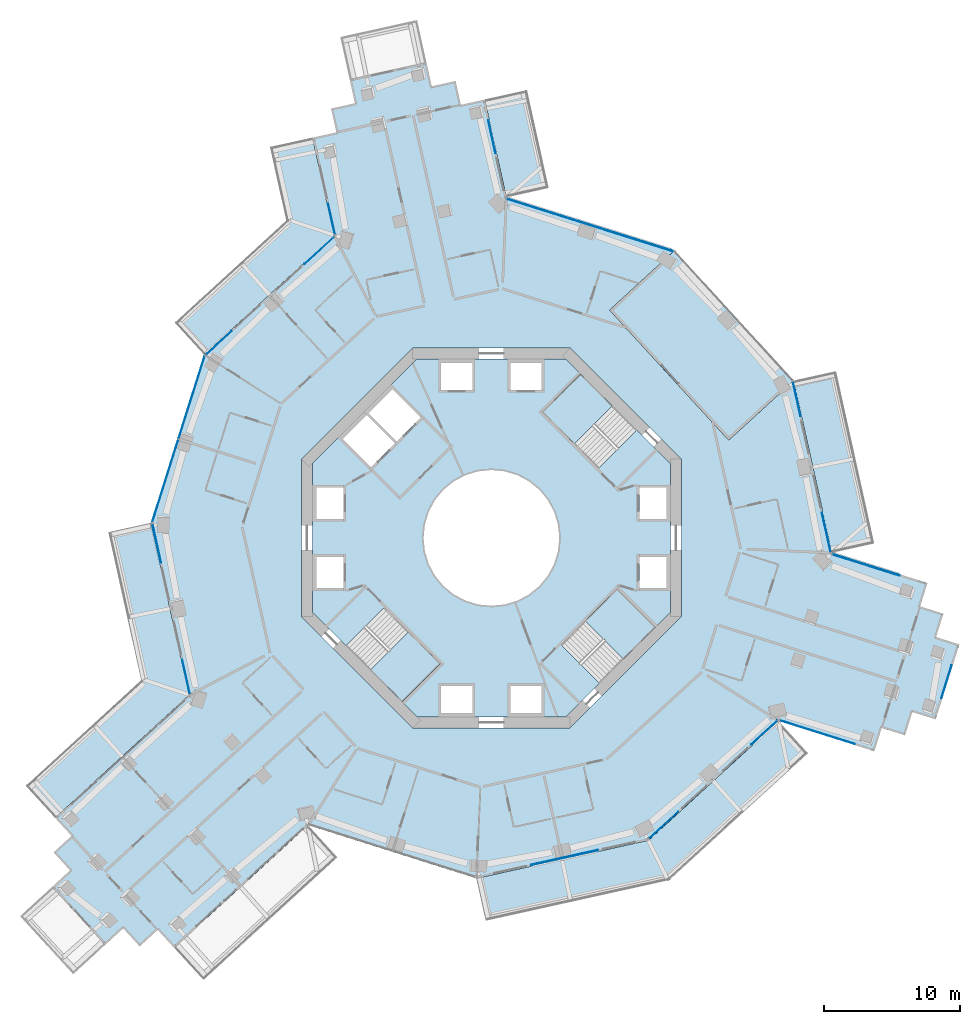
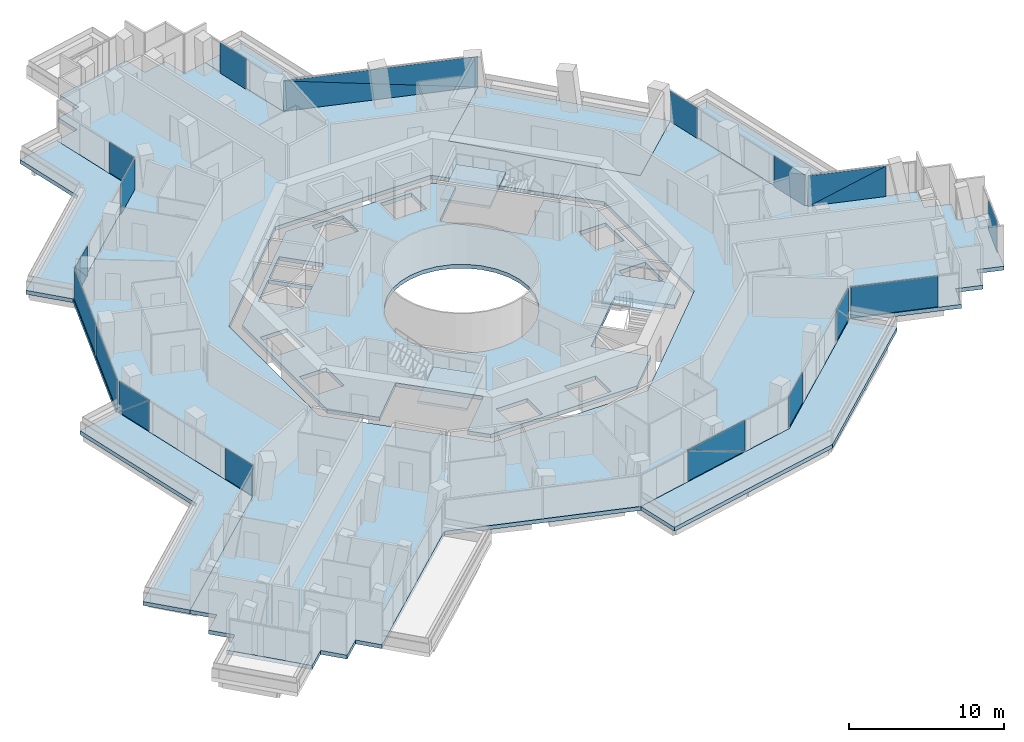
# One storey, part 13 of 24: 23 plates, 11 slabs, 15 elements without a shape of their own.
"""IFC4 building model written with IfcOpenShell, lengths in metres."""

import ifcopenshell
import ifcopenshell.guid

model = None  # the IFC model being written
_history = None  # IfcOwnerHistory: only IFC2X3 demands one
_inside = {}  # id of a spatial element -> (the spatial element, [elements in it])
_under = {}  # id of a project, library or spatial element -> (it, [spatial elements below it])
_declared = {}  # id of a project -> (the project, [libraries it declares])
_typed = {}  # id of a type object -> (the type object, [elements of that type])
_made_of = {}  # id of a material, layer set ... -> (it, [elements and type objects made of it])


def new_model(schema):
    """Start an empty IFC model of exactly this schema.

    Asked for "IFC4X3", IfcOpenShell would pick the latest addendum, in which some entities
    have other attributes; the version numbers below select the first issue.
    IFC2X3 requires an IfcOwnerHistory on every rooted entity: one is made here for all.
    """
    global model, _history
    if schema == "IFC4X3":
        model = ifcopenshell.file(schema_version=(4, 3, 0, 0))
    else:
        model = ifcopenshell.file(schema=schema)
    _inside.clear()
    _under.clear()
    _declared.clear()
    _typed.clear()
    _made_of.clear()
    _history = None
    if model.schema == "IFC2X3":
        org = make("IfcOrganization", Name="unknown")
        user = make(
            "IfcPersonAndOrganization",
            ThePerson=make("IfcPerson", FamilyName="unknown"),
            TheOrganization=org,
        )
        app = make(
            "IfcApplication",
            ApplicationDeveloper=org,
            Version="unknown",
            ApplicationFullName="unknown",
            ApplicationIdentifier="unknown",
        )
        _history = make(
            "IfcOwnerHistory",
            OwningUser=user,
            OwningApplication=app,
            ChangeAction="ADDED",
            CreationDate=0,
        )
    return model


def make(cls, **values):
    """One entity of the class cls with the attributes given. An attribute that is None is left unset."""
    return model.create_entity(
        cls, **{name: value for name, value in values.items() if value is not None}
    )


def rooted(cls, **values):
    """An entity with a GlobalId (a new one), such as an element, a storey or a relation."""
    return make(cls, GlobalId=ifcopenshell.guid.new(), OwnerHistory=_history, **values)


def si_unit(unit_type, name, prefix=None):
    """IfcSIUnit, for example si_unit("LENGTHUNIT", "METRE", prefix="MILLI")."""
    return make("IfcSIUnit", UnitType=unit_type, Prefix=prefix, Name=name)


def assignment(units):
    """IfcUnitAssignment: the units of a project."""
    return None if units is None else make("IfcUnitAssignment", Units=units)


def point(xyz):
    """IfcCartesianPoint."""
    return None if xyz is None else make("IfcCartesianPoint", Coordinates=xyz)


def direction(xyz):
    """IfcDirection."""
    return None if xyz is None else make("IfcDirection", DirectionRatios=xyz)


def frame(location, z_axis=None, x_axis=None):
    """IfcAxis2Placement3D, a coordinate frame: its origin and axes. An axis left out is left unset."""
    return make(
        "IfcAxis2Placement3D",
        Location=point(location),
        Axis=direction(z_axis),
        RefDirection=direction(x_axis),
    )


def frame_2d(location, x_axis=None):
    """IfcAxis2Placement2D, a coordinate frame in the plane: its origin and x axis."""
    return make(
        "IfcAxis2Placement2D", Location=point(location), RefDirection=direction(x_axis)
    )


def origin():
    """The frame at (0, 0, 0) with its axes left unset."""
    return frame((0.0, 0.0, 0.0))


def origin_2d():
    """The frame at (0, 0) in the plane with its x axis left unset."""
    return frame_2d((0.0, 0.0))


def place(relative_to, where):
    """IfcLocalPlacement: puts the frame where relative to a parent placement (None: the world)."""
    return make(
        "IfcLocalPlacement", PlacementRelTo=relative_to, RelativePlacement=where
    )


def context(
    kind, dimensions, precision=None, world=None, true_north=None, identifier=None
):
    """IfcGeometricRepresentationContext, for example the 3D "Model" context."""
    return make(
        "IfcGeometricRepresentationContext",
        ContextIdentifier=identifier,
        ContextType=kind,
        CoordinateSpaceDimension=dimensions,
        Precision=precision,
        WorldCoordinateSystem=world,
        TrueNorth=true_north,
    )


def subcontext(parent, identifier, kind, view, scale=None):
    """IfcGeometricRepresentationSubContext, for example "Body" below "Model"."""
    return make(
        "IfcGeometricRepresentationSubContext",
        ContextIdentifier=identifier,
        ContextType=kind,
        ParentContext=parent,
        TargetScale=scale,
        TargetView=view,
    )


def project(units=None, contexts=None):
    """IfcProject with its units and contexts."""
    return rooted(
        "IfcProject",
        Name="project",
        RepresentationContexts=contexts,
        UnitsInContext=assignment(units),
    )


def spatial(cls, under=None, at=None, **own):
    """A site, building, storey or space (cls), placed at a placement, below another one or the project."""
    s = rooted(cls, ObjectPlacement=at, **own)
    if under is not None:
        _under.setdefault(under.id(), (under, []))[1].append(s)
    return s


def polyline(points):
    """IfcPolyline through the points."""
    return make("IfcPolyline", Points=[point(p) for p in points])


def profile(cls, at=None, kind="AREA", **sizes):
    """A parametric profile (cls). Its sizes go by their IFC names, for example OverallWidth=200.0."""
    return make(cls, ProfileType=kind, Position=at, **sizes)


def rectangle(**sizes):
    """IfcRectangleProfileDef."""
    return profile("IfcRectangleProfileDef", **sizes)


def outline(outer, holes=None, kind="AREA"):
    """IfcArbitraryClosedProfileDef: a profile drawn as a closed curve; with holes, ...WithVoids."""
    if holes is None:
        return make("IfcArbitraryClosedProfileDef", ProfileType=kind, OuterCurve=outer)
    return make(
        "IfcArbitraryProfileDefWithVoids",
        ProfileType=kind,
        OuterCurve=outer,
        InnerCurves=holes,
    )


def extrude(swept, where, along, depth):
    """IfcExtrudedAreaSolid: the profile swept, set in the frame where, extruded along a direction by depth."""
    return make(
        "IfcExtrudedAreaSolid",
        SweptArea=swept,
        Position=where,
        ExtrudedDirection=direction(along),
        Depth=depth,
    )


def shape(context_of_items, identifier, shape_type, items):
    """IfcShapeRepresentation: the items that make up one representation, for example the "Body"."""
    return make(
        "IfcShapeRepresentation",
        ContextOfItems=context_of_items,
        RepresentationIdentifier=identifier,
        RepresentationType=shape_type,
        Items=items,
    )


def material(Name=None, Category=None):
    """IfcMaterial."""
    return make("IfcMaterial", Name=Name, Category=Category)


def layer(
    of_material, thickness, ventilated=None, Name=None, Category=None, Priority=None
):
    """IfcMaterialLayer: one layer of a wall or slab, of a material (None: an air gap)."""
    return make(
        "IfcMaterialLayer",
        Material=of_material,
        LayerThickness=thickness,
        IsVentilated=ventilated,
        Name=Name,
        Category=Category,
        Priority=Priority,
    )


def layer_set(layers, Name=None):
    """IfcMaterialLayerSet."""
    return make("IfcMaterialLayerSet", MaterialLayers=layers, LayerSetName=Name)


def made_of(thing, what):
    """Note that an element or type object is made of a material, layer set ...; save() writes the relation."""
    if what is not None:
        _made_of.setdefault(what.id(), (what, []))[1].append(thing)
    return thing


def type_object(cls, material=None, **own):
    """A type object (cls), such as IfcWallType, which elements share."""
    return made_of(rooted(cls, **own), material)


def element(
    cls,
    number,
    at=None,
    inside=None,
    cuts=None,
    type_object=None,
    material=None,
    context=None,
    identifier="Body",
    shape_type=None,
    held_by="IfcProductDefinitionShape",
    body=None,
    shapes=None,
    **own,
):
    """One element of the class cls, such as IfcWall. Its Tag is "e" and its number.

    at: its placement. inside: the storey or other place that contains it. cuts: it is an
    opening in that element (IfcRelVoidsElement). A single representation is given by context,
    identifier, shape_type and body (its items); several are given by shapes. held_by: the class
    of the entity that holds the representations. save() writes the other relations.
    """
    e = rooted(cls, Tag="e%d" % number, ObjectPlacement=at, **own)
    if body is not None:
        shapes = [shape(context, identifier, shape_type, body)]
    if shapes is not None:
        e.Representation = make(held_by, Representations=shapes)
    if inside is not None:
        _inside.setdefault(inside.id(), (inside, []))[1].append(e)
    if cuts is not None:
        rooted(
            "IfcRelVoidsElement", RelatingBuildingElement=cuts, RelatedOpeningElement=e
        )
    if type_object is not None:
        _typed.setdefault(type_object.id(), (type_object, []))[1].append(e)
    return made_of(e, material)


def aggregate(whole, parts):
    """IfcRelAggregates: a whole, such as a stair, and the parts it consists of."""
    return rooted("IfcRelAggregates", RelatingObject=whole, RelatedObjects=parts)


def save(model, path):
    """Write the relations noted so far, then the file.

    IfcRelAggregates (storeys below a building ...), IfcRelContainedInSpatialStructure (elements
    in a storey), IfcRelDefinesByType, IfcRelAssociatesMaterial and IfcRelDeclares: one each for
    every whole, place, type object, material and project.
    """
    for whole, parts in _under.values():
        aggregate(whole, parts)
    for where, things in _inside.values():
        rooted(
            "IfcRelContainedInSpatialStructure",
            RelatedElements=things,
            RelatingStructure=where,
        )
    for kind, things in _typed.values():
        rooted("IfcRelDefinesByType", RelatedObjects=things, RelatingType=kind)
    for what, things in _made_of.values():
        rooted("IfcRelAssociatesMaterial", RelatedObjects=things, RelatingMaterial=what)
    for by, libraries in _declared.values():
        rooted("IfcRelDeclares", RelatingContext=by, RelatedDefinitions=libraries)
    model.write(path)


model = new_model("IFC4")

# Units and contexts
model_context = context("Model", 3, precision=1e-05, world=origin(), true_north=direction((0.0, 1.0)))
body_context = subcontext(model_context, "Body", "Model", "MODEL_VIEW")
ifc_project = project(units=[si_unit("LENGTHUNIT", "METRE"), si_unit("AREAUNIT", "SQUARE_METRE"), si_unit("VOLUMEUNIT", "CUBIC_METRE"), si_unit("PLANEANGLEUNIT", "RADIAN"), si_unit("MASSUNIT", "GRAM", prefix="KILO")], contexts=[model_context])

# Site, building, storey
site_placement = place(None, origin())
site = spatial("IfcSite", under=ifc_project, at=site_placement, CompositionType="ELEMENT")
building_placement = place(site_placement, origin())
building = spatial("IfcBuilding", under=site, at=building_placement, Name="Verdalira Terraces Hotel", CompositionType="ELEMENT")
storey_placement = place(building_placement, frame((0.0, 0.0, 86.0)))
storey = spatial("IfcBuildingStorey", under=building, at=storey_placement, Name="L19", CompositionType="ELEMENT", Elevation=86.0)

# Slabs
ifc_material_1 = material(Name="Precast concrete C40/50", Category="concrete")
ifc_layer_1 = layer(ifc_material_1, 0.31005859375)
ifc_layer_set_1 = layer_set([ifc_layer_1], Name="Balcony deck 310")
slab_type_1 = type_object("IfcSlabType", Name="Balcony deck 310", PredefinedType="FLOOR", material=ifc_layer_set_1)
slab_1_placement = place(storey_placement, frame((0.0, 0.0, -0.310059)))
element("IfcSlab", 1, at=slab_1_placement, inside=storey, type_object=slab_type_1, Name="Balcony deck", PredefinedType="FLOOR", context=body_context, shape_type="SweptSolid", body=[
    extrude(outline(polyline([(-15.112305, 23.392822), (-23.337402, 15.861328), (-21.17627, 13.501221), (-11.588623, 22.280518), (-13.185303, 29.494629), (-16.30957, 28.802979), (-15.112305, 23.392822)])), origin(), (0.0, 0.0, 1.0), 0.310059),
])
slab_2_placement = place(storey_placement, frame((0.0, 0.0, -0.310059)))
element("IfcSlab", 2, at=slab_2_placement, inside=storey, type_object=slab_type_1, Name="Balcony deck", PredefinedType="FLOOR", context=body_context, shape_type="SweptSolid", body=[
    extrude(outline(polyline([(-25.804199, -10.476318), (-34.315918, -18.270508), (-32.154785, -20.630371), (-22.280518, -11.588623), (-25.089844, 1.104248), (-28.214111, 0.412598), (-25.804199, -10.476318)])), origin(), (0.0, 0.0, 1.0), 0.310059),
])
slab_3_placement = place(storey_placement, frame((0.0, 0.0, -0.310059)))
element("IfcSlab", 3, at=slab_3_placement, inside=storey, type_object=slab_type_1, Name="Balcony deck", PredefinedType="FLOOR", context=body_context, shape_type="SweptSolid", body=[
    extrude(outline(polyline([(23.337402, -15.861328), (21.17627, -13.501221), (11.588623, -22.280518), (-1.104248, -25.089844), (-0.412598, -28.214111), (13.117188, -25.219482), (23.337402, -15.861328)])), origin(), (0.0, 0.0, 1.0), 0.310059),
])
slab_4_placement = place(storey_placement, frame((0.0, 0.0, -0.310059)))
element("IfcSlab", 4, at=slab_4_placement, inside=storey, type_object=slab_type_1, Name="Balcony deck", PredefinedType="FLOOR", context=body_context, shape_type="SweptSolid", body=[
    extrude(outline(polyline([(25.404785, 12.280029), (22.280518, 11.588623), (25.089844, -1.104248), (28.214111, -0.412598), (25.404785, 12.280029)])), origin(), (0.0, 0.0, 1.0), 0.310059),
])
slab_5_placement = place(storey_placement, frame((0.0, 0.0, -0.310059)))
element("IfcSlab", 5, at=slab_5_placement, inside=storey, type_object=slab_type_1, Name="Balcony deck", PredefinedType="FLOOR", context=body_context, shape_type="SweptSolid", body=[
    extrude(outline(polyline([(2.631836, 32.995361), (-0.492432, 32.303955), (1.104248, 25.089844), (4.228516, 25.78125), (2.631836, 32.995361)])), origin(), (0.0, 0.0, 1.0), 0.310059),
])

# Curtain wall, plates
ifc_material_2 = material(Name="Clear glass", Category="glass")
ifc_layer_2 = layer(ifc_material_2, 0.14990234375)
ifc_layer_set_2 = layer_set([ifc_layer_2], Name="CW1 curtain wall")
curtain_wall_type_1 = type_object("IfcCurtainWallType", Name="CW1 curtain wall", PredefinedType="NOTDEFINED", material=ifc_layer_set_2)
curtain_wall_1_placement = place(storey_placement, origin())
curtain_wall_1 = element("IfcCurtainWall", 6, at=curtain_wall_1_placement, inside=storey, type_object=curtain_wall_type_1, Name="CW1 curtain wall L19 edge 11", PredefinedType="NOTDEFINED")
ifc_material_3 = material(Name="Clear glass", Category="glass")
ifc_layer_3 = layer(ifc_material_3, 0.028076171875)
ifc_layer_set_3 = layer_set([ifc_layer_3], Name="CW1 glass unit 28")
plate_type_1 = type_object("IfcPlateType", Name="CW1 glass unit 28", PredefinedType="CURTAIN_PANEL", material=ifc_layer_set_3)
plate_1_placement = place(storey_placement, frame((-12.675537, 21.183594, 0.0), z_axis=(0.0, 0.0, 1.0), x_axis=(-0.737513117, -0.675332808, 0.0)))
plate_1 = element("IfcPlate", 7, at=plate_1_placement, type_object=plate_type_1, Name="CW1 glass unit", PredefinedType="CURTAIN_PANEL", context=body_context, shape_type="SweptSolid", body=[
    extrude(rectangle(XDim=2.965088, YDim=0.028076, at=origin_2d()), origin(), (0.0, 0.0, 1.0), 2.425049),
])
plate_2_placement = place(storey_placement, frame((-20.09668, 14.369141, 1.212402), z_axis=(-0.675332808, 0.737513117, 0.0), x_axis=(-0.737513117, -0.675332808, 0.0)))
plate_2 = element("IfcPlate", 8, at=plate_2_placement, type_object=plate_type_1, Name="CW1 glass unit", PredefinedType="CURTAIN_PANEL", context=body_context, shape_type="SweptSolid", body=[
    extrude(outline(polyline([(-1.282227, -1.212402), (1.282227, -1.212402), (1.282227, 1.212402), (-1.282227, -1.212402)])), origin(), (0.0, 0.0, 1.0), 0.028076),
])
plate_3_placement = place(storey_placement, frame((-20.077148, 14.347656, 1.212402), z_axis=(-0.675332808, 0.737513117, 0.0), x_axis=(-0.737513117, -0.675332808, 0.0)))
plate_3 = element("IfcPlate", 9, at=plate_3_placement, type_object=plate_type_1, Name="CW1 glass unit", PredefinedType="CURTAIN_PANEL", context=body_context, shape_type="SweptSolid", body=[
    extrude(outline(polyline([(-1.282227, -1.212402), (1.282227, 1.212402), (-1.282227, 1.212402), (-1.282227, -1.212402)])), origin(), (0.0, 0.0, 1.0), 0.028076),
])
aggregate(curtain_wall_1, [plate_1, plate_2, plate_3])

curtain_wall_2_placement = place(storey_placement, origin())
curtain_wall_2 = element("IfcCurtainWall", 10, at=curtain_wall_2_placement, inside=storey, type_object=curtain_wall_type_1, Name="CW1 curtain wall L19 edge 12", PredefinedType="NOTDEFINED")
plate_4_placement = place(storey_placement, frame((-22.09375, 10.345947, 0.0), z_axis=(0.0, 0.0, 1.0), x_axis=(-0.301038691, -0.953611927, 0.0)))
plate_4 = element("IfcPlate", 11, at=plate_4_placement, type_object=plate_type_1, Name="CW1 glass unit", PredefinedType="CURTAIN_PANEL", context=body_context, shape_type="SweptSolid", body=[
    extrude(rectangle(XDim=6.369873, YDim=0.028076, at=origin_2d()), origin(), (0.0, 0.0, 1.0), 2.425049),
])
plate_5_placement = place(storey_placement, frame((-24.029297, 4.214355, 0.0), z_axis=(0.0, 0.0, 1.0), x_axis=(-0.301038691, -0.953611927, 0.0)))
plate_5 = element("IfcPlate", 12, at=plate_5_placement, type_object=plate_type_1, Name="CW1 glass unit", PredefinedType="CURTAIN_PANEL", context=body_context, shape_type="SweptSolid", body=[
    extrude(rectangle(XDim=6.369873, YDim=0.028076, at=origin_2d()), origin(), (0.0, 0.0, 1.0), 2.425049),
])
aggregate(curtain_wall_2, [plate_4, plate_5])

curtain_wall_3_placement = place(storey_placement, origin())
curtain_wall_3 = element("IfcCurtainWall", 13, at=curtain_wall_3_placement, inside=storey, type_object=curtain_wall_type_1, Name="CW1 curtain wall L19 edge 13", PredefinedType="NOTDEFINED")
plate_6_placement = place(storey_placement, frame((-24.665283, -0.402344, 1.212402), z_axis=(-0.976371499, -0.216098809, 0.0), x_axis=(0.216098809, -0.976371499, 0.0)))
plate_6 = element("IfcPlate", 14, at=plate_6_placement, type_object=plate_type_1, Name="CW1 glass unit", PredefinedType="CURTAIN_PANEL", context=body_context, shape_type="SweptSolid", body=[
    extrude(outline(polyline([(-1.462402, -1.212402), (1.462402, -1.212402), (1.462402, 1.212402), (-1.462402, -1.212402)])), origin(), (0.0, 0.0, 1.0), 0.028076),
])
plate_7_placement = place(storey_placement, frame((-24.636963, -0.395996, 1.212402), z_axis=(-0.976371499, -0.216098809, 0.0), x_axis=(0.216098809, -0.976371499, 0.0)))
plate_7 = element("IfcPlate", 15, at=plate_7_placement, type_object=plate_type_1, Name="CW1 glass unit", PredefinedType="CURTAIN_PANEL", context=body_context, shape_type="SweptSolid", body=[
    extrude(outline(polyline([(-1.462402, -1.212402), (1.462402, 1.212402), (-1.462402, 1.212402), (-1.462402, -1.212402)])), origin(), (0.0, 0.0, 1.0), 0.028076),
])
plate_8_placement = place(storey_placement, frame((-22.501709, -10.242432, 0.0), z_axis=(0.0, 0.0, 1.0), x_axis=(0.216098809, -0.976371499, 0.0)))
plate_8 = element("IfcPlate", 16, at=plate_8_placement, type_object=plate_type_1, Name="CW1 glass unit", PredefinedType="CURTAIN_PANEL", context=body_context, shape_type="SweptSolid", body=[
    extrude(rectangle(XDim=2.604492, YDim=0.028076, at=origin_2d()), origin(), (0.0, 0.0, 1.0), 2.425049),
])
aggregate(curtain_wall_3, [plate_6, plate_7, plate_8])

curtain_wall_4_placement = place(storey_placement, origin())
curtain_wall_4 = element("IfcCurtainWall", 17, at=curtain_wall_4_placement, inside=storey, type_object=curtain_wall_type_1, Name="CW1 curtain wall L19 edge 26", PredefinedType="NOTDEFINED")
plate_9_placement = place(storey_placement, frame((5.397705, -23.55957, 1.212402), z_axis=(0.216098809, -0.976371499, 0.0), x_axis=(0.976371499, 0.216098809, 0.0)))
plate_9 = element("IfcPlate", 18, at=plate_9_placement, type_object=plate_type_1, Name="CW1 glass unit", PredefinedType="CURTAIN_PANEL", context=body_context, shape_type="SweptSolid", body=[
    extrude(outline(polyline([(-2.510742, -1.212402), (2.510742, -1.212402), (-2.510742, 1.212402), (-2.510742, -1.212402)])), origin(), (0.0, 0.0, 1.0), 0.028076),
])
plate_10_placement = place(storey_placement, frame((5.391357, -23.53125, 1.212402), z_axis=(0.216098809, -0.976371499, 0.0), x_axis=(0.976371499, 0.216098809, 0.0)))
plate_10 = element("IfcPlate", 19, at=plate_10_placement, type_object=plate_type_1, Name="CW1 glass unit", PredefinedType="CURTAIN_PANEL", context=body_context, shape_type="SweptSolid", body=[
    extrude(outline(polyline([(2.510742, -1.212402), (2.510742, 1.212402), (-2.510742, 1.212402), (2.510742, -1.212402)])), origin(), (0.0, 0.0, 1.0), 0.028076),
])
aggregate(curtain_wall_4, [plate_9, plate_10])

curtain_wall_5_placement = place(storey_placement, origin())
curtain_wall_5 = element("IfcCurtainWall", 20, at=curtain_wall_5_placement, inside=storey, type_object=curtain_wall_type_1, Name="CW1 curtain wall L19 edge 27", PredefinedType="NOTDEFINED")
plate_11_placement = place(storey_placement, frame((12.69043, -21.169922, 0.0), z_axis=(0.0, 0.0, 1.0), x_axis=(0.737513117, 0.675332808, 0.0)))
plate_11 = element("IfcPlate", 21, at=plate_11_placement, type_object=plate_type_1, Name="CW1 glass unit", PredefinedType="CURTAIN_PANEL", context=body_context, shape_type="SweptSolid", body=[
    extrude(rectangle(XDim=2.924805, YDim=0.028076, at=origin_2d()), origin(), (0.0, 0.0, 1.0), 2.425049),
])
plate_12_placement = place(storey_placement, frame((20.111328, -14.355469, 1.212402), z_axis=(0.675332808, -0.737513117, 0.0), x_axis=(0.737513117, 0.675332808, 0.0)))
plate_12 = element("IfcPlate", 22, at=plate_12_placement, type_object=plate_type_1, Name="CW1 glass unit", PredefinedType="CURTAIN_PANEL", context=body_context, shape_type="SweptSolid", body=[
    extrude(outline(polyline([(-1.302246, -1.212402), (1.302246, -1.212402), (-1.302246, 1.212402), (-1.302246, -1.212402)])), origin(), (0.0, 0.0, 1.0), 0.028076),
])
plate_13_placement = place(storey_placement, frame((20.091797, -14.333984, 1.212402), z_axis=(0.675332808, -0.737513117, 0.0), x_axis=(0.737513117, 0.675332808, 0.0)))
plate_13 = element("IfcPlate", 23, at=plate_13_placement, type_object=plate_type_1, Name="CW1 glass unit", PredefinedType="CURTAIN_PANEL", context=body_context, shape_type="SweptSolid", body=[
    extrude(outline(polyline([(1.302246, -1.212402), (1.302246, 1.212402), (-1.302246, 1.212402), (1.302246, -1.212402)])), origin(), (0.0, 0.0, 1.0), 0.028076),
])
aggregate(curtain_wall_5, [plate_11, plate_12, plate_13])

curtain_wall_6_placement = place(storey_placement, origin())
curtain_wall_6 = element("IfcCurtainWall", 24, at=curtain_wall_6_placement, inside=storey, type_object=curtain_wall_type_1, Name="CW1 curtain wall L19 edge 39", PredefinedType="NOTDEFINED")
plate_14_placement = place(storey_placement, frame((24.683105, 0.385742, 0.0), z_axis=(0.0, 0.0, 1.0), x_axis=(-0.216098809, 0.976371499, 0.0)))
plate_14 = element("IfcPlate", 25, at=plate_14_placement, type_object=plate_type_1, Name="CW1 glass unit", PredefinedType="CURTAIN_PANEL", context=body_context, shape_type="SweptSolid", body=[
    extrude(rectangle(XDim=2.965088, YDim=0.028076, at=origin_2d()), origin(), (0.0, 0.0, 1.0), 2.425049),
])
plate_15_placement = place(storey_placement, frame((22.501709, 10.242432, 0.0), z_axis=(0.0, 0.0, 1.0), x_axis=(-0.216098809, 0.976371499, 0.0)))
plate_15 = element("IfcPlate", 26, at=plate_15_placement, type_object=plate_type_1, Name="CW1 glass unit", PredefinedType="CURTAIN_PANEL", context=body_context, shape_type="SweptSolid", body=[
    extrude(rectangle(XDim=2.604492, YDim=0.028076, at=origin_2d()), origin(), (0.0, 0.0, 1.0), 2.425049),
])
aggregate(curtain_wall_6, [plate_14, plate_15])

curtain_wall_7_placement = place(storey_placement, origin())
curtain_wall_7 = element("IfcCurtainWall", 27, at=curtain_wall_7_placement, inside=storey, type_object=curtain_wall_type_1, Name="CW1 curtain wall L19 edge 41", PredefinedType="NOTDEFINED")
plate_16_placement = place(storey_placement, frame((7.275879, 23.048096, 1.212402), z_axis=(0.301038691, 0.953611927, 0.0), x_axis=(-0.953611927, 0.301038691, 0.0)))
plate_16 = element("IfcPlate", 28, at=plate_16_placement, type_object=plate_type_1, Name="CW1 glass unit", PredefinedType="CURTAIN_PANEL", context=body_context, shape_type="SweptSolid", body=[
    extrude(outline(polyline([(-6.439941, -1.212402), (6.439941, -1.212402), (6.439941, 1.212402), (-6.439941, -1.212402)])), origin(), (0.0, 0.0, 1.0), 0.028076),
])
plate_17_placement = place(storey_placement, frame((7.26709, 23.020508, 1.212402), z_axis=(0.301038691, 0.953611927, 0.0), x_axis=(-0.953611927, 0.301038691, 0.0)))
plate_17 = element("IfcPlate", 29, at=plate_17_placement, type_object=plate_type_1, Name="CW1 glass unit", PredefinedType="CURTAIN_PANEL", context=body_context, shape_type="SweptSolid", body=[
    extrude(outline(polyline([(-6.439941, -1.212402), (6.439941, 1.212402), (-6.439941, 1.212402), (-6.439941, -1.212402)])), origin(), (0.0, 0.0, 1.0), 0.028076),
])
aggregate(curtain_wall_7, [plate_16, plate_17])

# Curtain wall, plate
ifc_material_4 = material(Name="Clear glass", Category="glass")
ifc_layer_4 = layer(ifc_material_4, 0.14990234375)
ifc_layer_set_4 = layer_set([ifc_layer_4], Name="CW2 curtain wall")
curtain_wall_type_2 = type_object("IfcCurtainWallType", Name="CW2 curtain wall", PredefinedType="NOTDEFINED", material=ifc_layer_set_4)
curtain_wall_8_placement = place(storey_placement, origin())
curtain_wall_8 = element("IfcCurtainWall", 30, at=curtain_wall_8_placement, inside=storey, type_object=curtain_wall_type_2, Name="CW2 curtain wall L19 edge 0", PredefinedType="NOTDEFINED")
ifc_material_5 = material(Name="Clear glass", Category="glass")
ifc_layer_5 = layer(ifc_material_5, 0.031982421875)
ifc_layer_set_5 = layer_set([ifc_layer_5], Name="CW2 glass unit 32")
plate_type_2 = type_object("IfcPlateType", Name="CW2 glass unit 32", PredefinedType="CURTAIN_PANEL", material=ifc_layer_set_5)
plate_18_placement = place(storey_placement, frame((0.037109, 29.564453, 0.0), z_axis=(0.0, 0.0, 1.0), x_axis=(-0.216098809, 0.976371499, 0.0)))
plate_18 = element("IfcPlate", 31, at=plate_18_placement, type_object=plate_type_2, Name="CW2 glass unit", PredefinedType="CURTAIN_PANEL", context=body_context, shape_type="SweptSolid", body=[
    extrude(rectangle(XDim=2.472168, YDim=0.031982, at=origin_2d()), origin(), (0.0, 0.0, 1.0), 2.425049),
])
aggregate(curtain_wall_8, [plate_18])

curtain_wall_9_placement = place(storey_placement, origin())
curtain_wall_9 = element("IfcCurtainWall", 32, at=curtain_wall_9_placement, inside=storey, type_object=curtain_wall_type_2, Name="CW2 curtain wall L19 edge 10", PredefinedType="NOTDEFINED")
plate_19_placement = place(storey_placement, frame((-11.781738, 23.500244, 0.0), z_axis=(0.0, 0.0, 1.0), x_axis=(0.216098809, -0.976371499, 0.0)))
plate_19 = element("IfcPlate", 33, at=plate_19_placement, type_object=plate_type_2, Name="CW2 glass unit", PredefinedType="CURTAIN_PANEL", context=body_context, shape_type="SweptSolid", body=[
    extrude(rectangle(XDim=2.325439, YDim=0.031982, at=origin_2d()), origin(), (0.0, 0.0, 1.0), 2.425049),
])
aggregate(curtain_wall_9, [plate_19])

curtain_wall_10_placement = place(storey_placement, origin())
curtain_wall_10 = element("IfcCurtainWall", 34, at=curtain_wall_10_placement, inside=storey, type_object=curtain_wall_type_2, Name="CW2 curtain wall L19 edge 28", PredefinedType="NOTDEFINED")
plate_20_placement = place(storey_placement, frame((24.014648, -14.318604, 0.0), z_axis=(0.0, 0.0, 1.0), x_axis=(0.953611927, -0.301038691, 0.0)))
plate_20 = element("IfcPlate", 35, at=plate_20_placement, type_object=plate_type_2, Name="CW2 glass unit", PredefinedType="CURTAIN_PANEL", context=body_context, shape_type="SweptSolid", body=[
    extrude(rectangle(XDim=5.765625, YDim=0.031982, at=origin_2d()), origin(), (0.0, 0.0, 1.0), 2.425049),
])
aggregate(curtain_wall_10, [plate_20])

# Curtain wall, plates
curtain_wall_11_placement = place(storey_placement, origin())
curtain_wall_11 = element("IfcCurtainWall", 36, at=curtain_wall_11_placement, inside=storey, type_object=curtain_wall_type_2, Name="CW2 curtain wall L19 edge 38", PredefinedType="NOTDEFINED")
plate_21_placement = place(storey_placement, frame((27.59668, -1.990967, 1.212402), z_axis=(0.301038691, 0.953611927, 0.0), x_axis=(-0.953611927, 0.301038691, 0.0)))
plate_21 = element("IfcPlate", 37, at=plate_21_placement, type_object=plate_type_2, Name="CW2 glass unit", PredefinedType="CURTAIN_PANEL", context=body_context, shape_type="SweptSolid", body=[
    extrude(outline(polyline([(-2.587646, -1.212402), (2.587646, -1.212402), (-2.587646, 1.212402), (-2.587646, -1.212402)])), origin(), (0.0, 0.0, 1.0), 0.031982),
])
plate_22_placement = place(storey_placement, frame((27.586914, -2.022461, 1.212402), z_axis=(0.301038691, 0.953611927, 0.0), x_axis=(-0.953611927, 0.301038691, 0.0)))
plate_22 = element("IfcPlate", 38, at=plate_22_placement, type_object=plate_type_2, Name="CW2 glass unit", PredefinedType="CURTAIN_PANEL", context=body_context, shape_type="SweptSolid", body=[
    extrude(outline(polyline([(2.587646, -1.212402), (2.587646, 1.212402), (-2.587646, 1.212402), (2.587646, -1.212402)])), origin(), (0.0, 0.0, 1.0), 0.031982),
])
aggregate(curtain_wall_11, [plate_21, plate_22])

# Curtain wall, plate
ifc_material_6 = material(Name="Clear glass", Category="glass")
ifc_layer_6 = layer(ifc_material_6, 0.14990234375)
ifc_layer_set_6 = layer_set([ifc_layer_6], Name="CW3 curtain wall")
curtain_wall_type_3 = type_object("IfcCurtainWallType", Name="CW3 curtain wall", PredefinedType="NOTDEFINED", material=ifc_layer_set_6)
curtain_wall_12_placement = place(storey_placement, origin())
curtain_wall_12 = element("IfcCurtainWall", 39, at=curtain_wall_12_placement, inside=storey, type_object=curtain_wall_type_3, Name="CW3 curtain wall L19 edge 33", PredefinedType="NOTDEFINED")
ifc_material_7 = material(Name="Clear glass", Category="glass")
ifc_layer_7 = layer(ifc_material_7, 0.035888671875)
ifc_layer_set_7 = layer_set([ifc_layer_7], Name="CW3 glass unit 36")
plate_type_3 = type_object("IfcPlateType", Name="CW3 glass unit 36", PredefinedType="CURTAIN_PANEL", material=ifc_layer_set_7)
plate_23_placement = place(storey_placement, frame((33.536133, -10.602051, 0.0), z_axis=(0.0, 0.0, 1.0), x_axis=(0.301038691, 0.953611927, 0.0)))
plate_23 = element("IfcPlate", 40, at=plate_23_placement, type_object=plate_type_3, Name="CW3 glass unit", PredefinedType="CURTAIN_PANEL", context=body_context, shape_type="SweptSolid", body=[
    extrude(rectangle(XDim=2.529297, YDim=0.035889, at=origin_2d()), origin(), (0.0, 0.0, 1.0), 2.425049),
])
aggregate(curtain_wall_12, [plate_23])

# Slab
ifc_material_8 = material(Name="Concrete C40", Category="concrete")
ifc_layer_8 = layer(ifc_material_8, 0.31005859375)
ifc_layer_set_8 = layer_set([ifc_layer_8], Name="Core floor slab 310 mm")
slab_type_2 = type_object("IfcSlabType", Name="Core floor slab 310 mm", PredefinedType="FLOOR", material=ifc_layer_set_8)
slab_6_placement = place(storey_placement, frame((0.0, 0.0, -0.310059)))
element("IfcSlab", 41, at=slab_6_placement, inside=storey, type_object=slab_type_2, Name="L19 core floor", PredefinedType="FLOOR", context=body_context, shape_type="SweptSolid", body=[
    extrude(outline(polyline([(-5.467529, 13.199951), (5.467529, 13.199951), (6.562012, 12.105713), (3.719482, 9.263184), (7.869629, 5.112793), (10.712402, 7.955322), (13.199951, 5.467529), (13.199951, -5.467529), (12.105713, -6.562012), (9.263184, -3.719482), (5.112793, -7.869629), (7.955322, -10.712402), (5.467529, -13.199951), (-5.467529, -13.199951), (-6.562012, -12.105713), (-3.719482, -9.263184), (-7.869629, -5.112793), (-10.712402, -7.955322), (-13.199951, -5.467529), (-13.199951, 5.467529), (-5.467529, 13.199951)]), holes=[polyline([(12.899902, -3.699951), (12.899902, -1.399902), (10.899902, -1.399902), (10.899902, -3.699951), (12.899902, -3.699951)]), polyline([(12.899902, 1.399902), (12.899902, 3.699951), (10.899902, 3.699951), (10.899902, 1.399902), (12.899902, 1.399902)]), polyline([(1.399902, 10.899902), (3.699951, 10.899902), (3.699951, 12.899902), (1.399902, 12.899902), (1.399902, 10.899902)]), polyline([(-3.699951, 10.899902), (-1.399902, 10.899902), (-1.399902, 12.899902), (-3.699951, 12.899902), (-3.699951, 10.899902)]), polyline([(-12.899902, 3.699951), (-12.899902, 1.399902), (-10.899902, 1.399902), (-10.899902, 3.699951), (-12.899902, 3.699951)]), polyline([(-12.899902, -1.399902), (-12.899902, -3.699951), (-10.899902, -3.699951), (-10.899902, -1.399902), (-12.899902, -1.399902)]), polyline([(-1.399902, -10.899902), (-3.699951, -10.899902), (-3.699951, -12.899902), (-1.399902, -12.899902), (-1.399902, -10.899902)]), polyline([(3.699951, -10.899902), (1.399902, -10.899902), (1.399902, -12.899902), (3.699951, -12.899902), (3.699951, -10.899902)]), polyline([(-9.051025, 9.192383), (-6.965088, 7.106445), (-5.197266, 8.874268), (-7.283203, 10.960205), (-9.051025, 9.192383)]), polyline([(-9.192383, 9.051025), (-10.960205, 7.283203), (-8.874268, 5.197266), (-7.106445, 6.965088), (-9.192383, 9.051025)]), polyline([(3.5354, 3.5354), (2.777832, 4.157227), (1.91333, 4.619385), (0.975586, 4.903809), (0.0, 5.0), (-0.975586, 4.903809), (-1.91333, 4.619385), (-2.777832, 4.157227), (-3.5354, 3.5354), (-4.157227, 2.777832), (-4.619385, 1.91333), (-4.903809, 0.975586), (-5.0, 0.0), (-4.903809, -0.975586), (-4.619385, -1.91333), (-4.157227, -2.777832), (-3.5354, -3.5354), (-2.777832, -4.157227), (-1.91333, -4.619385), (-0.975586, -4.903809), (0.0, -5.0), (0.975586, -4.903809), (1.91333, -4.619385), (2.777832, -4.157227), (3.5354, -3.5354), (4.157227, -2.777832), (4.619385, -1.91333), (4.903809, -0.975586), (5.0, 0.0), (4.903809, 0.975586), (4.619385, 1.91333), (4.157227, 2.777832), (3.5354, 3.5354)])]), origin(), (0.0, 0.0, 1.0), 0.310059),
])

# Stair, slab
ifc_material_9 = material(Name="Concrete C40", Category="concrete")
stair_type = type_object("IfcStairType", Name="Core stair 20 risers 1950 mm wide", PredefinedType="HALF_TURN_STAIR", material=ifc_material_9)
stair_1_placement = place(storey_placement, origin())
stair_1 = element("IfcStair", 42, at=stair_1_placement, inside=storey, type_object=stair_type, Name="L19 Exit stair ST1", PredefinedType="HALF_TURN_STAIR")
ifc_material_10 = material(Name="Concrete C40", Category="concrete")
ifc_layer_9 = layer(ifc_material_10, 0.199951171875)
ifc_layer_set_9 = layer_set([ifc_layer_9], Name="Core stair landing 200 mm")
slab_type_3 = type_object("IfcSlabType", Name="Core stair landing 200 mm", PredefinedType="LANDING", material=ifc_layer_set_9)
slab_7_placement = place(storey_placement, frame((0.0, 0.0, 1.550049)))
slab_7 = element("IfcSlab", 43, at=slab_7_placement, type_object=slab_type_3, Name="ST1 landing 1", PredefinedType="LANDING", context=body_context, shape_type="SweptSolid", body=[
    extrude(outline(polyline([(8.931152, 9.736572), (6.576172, 12.091553), (3.747559, 9.263184), (6.102783, 6.907959), (8.931152, 9.736572)])), origin(), (0.0, 0.0, 1.0), 0.199951),
])
aggregate(stair_1, [slab_7])

stair_2_placement = place(storey_placement, origin())
stair_2 = element("IfcStair", 44, at=stair_2_placement, inside=storey, type_object=stair_type, Name="L19 Exit stair ST2", PredefinedType="HALF_TURN_STAIR")
slab_8_placement = place(storey_placement, frame((0.0, 0.0, 1.550049)))
slab_8 = element("IfcSlab", 45, at=slab_8_placement, type_object=slab_type_3, Name="ST2 landing 1", PredefinedType="LANDING", context=body_context, shape_type="SweptSolid", body=[
    extrude(outline(polyline([(-8.931152, -9.736572), (-6.576172, -12.091553), (-3.747559, -9.263184), (-6.102783, -6.907959), (-8.931152, -9.736572)])), origin(), (0.0, 0.0, 1.0), 0.199951),
])
aggregate(stair_2, [slab_8])

stair_3_placement = place(storey_placement, origin())
stair_3 = element("IfcStair", 46, at=stair_3_placement, inside=storey, type_object=stair_type, Name="L19 Exit stair ST3", PredefinedType="HALF_TURN_STAIR")
slab_9_placement = place(storey_placement, frame((0.0, 0.0, 1.550049)))
slab_9 = element("IfcSlab", 47, at=slab_9_placement, type_object=slab_type_3, Name="ST3 landing 1", PredefinedType="LANDING", context=body_context, shape_type="SweptSolid", body=[
    extrude(outline(polyline([(9.736572, -8.931152), (12.091553, -6.576172), (9.263184, -3.747559), (6.907959, -6.102783), (9.736572, -8.931152)])), origin(), (0.0, 0.0, 1.0), 0.199951),
])
aggregate(stair_3, [slab_9])

# Slabs
ifc_material_11 = material(Name="Concrete C40", Category="concrete")
ifc_layer_10 = layer(ifc_material_11, 0.31005859375)
ifc_layer_set_10 = layer_set([ifc_layer_10], Name="Floor slab 310 C40")
slab_type_4 = type_object("IfcSlabType", Name="Floor slab 310 C40", PredefinedType="FLOOR", material=ifc_layer_set_10)
slab_10_placement = place(storey_placement, frame((0.0, 0.0, -0.310059)))
element("IfcSlab", 48, at=slab_10_placement, inside=storey, type_object=slab_type_4, Name="Floor slab L19", PredefinedType="FLOOR", context=body_context, shape_type="SweptSolid", body=[
    extrude(outline(polyline([(32.135742, -3.328613), (25.089844, -1.104248), (22.280518, 11.587891), (17.486572, 7.198242), (8.706543, 16.786621), (13.500488, 21.176514), (1.104248, 25.089844), (-0.492432, 32.303955), (-2.25, 31.914795), (-2.638916, 33.672363), (-4.396484, 33.283447), (-4.7854, 35.041016), (-10.448242, 33.787598), (-10.059326, 32.030029), (-11.816895, 31.641113), (-11.427734, 29.883545), (-13.185303, 29.494629), (-11.588623, 22.280518), (-21.17627, 13.501221), (-25.089844, 1.104248), (-22.280518, -11.588623), (-32.154785, -20.630371), (-30.939209, -21.958008), (-32.266846, -23.173584), (-31.05127, -24.501221), (-32.378662, -25.716797), (-28.461914, -29.994385), (-27.134277, -28.778809), (-25.918701, -30.106201), (-24.591064, -28.890625), (-23.375488, -30.218018), (-13.501221, -21.17627), (-1.104248, -25.089844), (11.588623, -22.280518), (21.17627, -13.501221), (28.222168, -15.725586), (28.76416, -14.009033), (30.480713, -14.550781), (31.022461, -12.834229), (32.739014, -13.376221), (34.485107, -7.845215), (32.768555, -7.303467), (33.310303, -5.586914), (31.593994, -5.044922), (32.135742, -3.328613)]), holes=[polyline([(5.799072, 14.0), (14.0, 5.799072), (14.0, -5.799072), (5.799072, -14.0), (-5.799072, -14.0), (-14.0, -5.799072), (-14.0, 5.799072), (-5.799072, 14.0), (5.799072, 14.0)])]), origin(), (0.0, 0.0, 1.0), 0.310059),
])
ifc_material_12 = material(Name="Concrete C40", Category="concrete")
ifc_layer_11 = layer(ifc_material_12, 0.31005859375)
ifc_layer_set_11 = layer_set([ifc_layer_11], Name="Loggia floor deck 310 C40")
slab_type_5 = type_object("IfcSlabType", Name="Loggia floor deck 310 C40", PredefinedType="FLOOR", material=ifc_layer_set_11)
slab_11_placement = place(storey_placement, frame((0.0, 0.0, -0.310059)))
element("IfcSlab", 49, at=slab_11_placement, inside=storey, type_object=slab_type_5, Name="Loggia deck L19", PredefinedType="FLOOR", context=body_context, shape_type="SweptSolid", body=[
    extrude(outline(polyline([(17.486816, 7.198975), (22.280518, 11.588623), (13.501221, 21.17627), (8.707275, 16.786621), (17.486816, 7.198975)])), origin(), (0.0, 0.0, 1.0), 0.310059),
])

save(model, "model.ifc")
